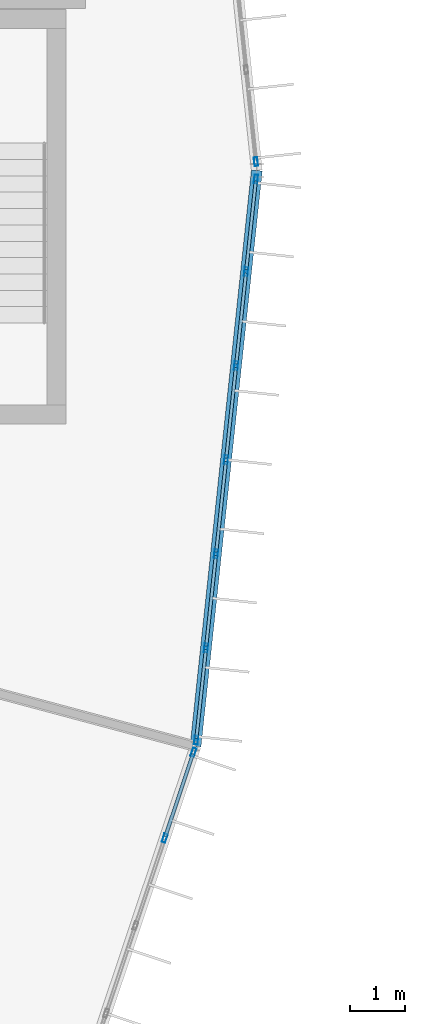
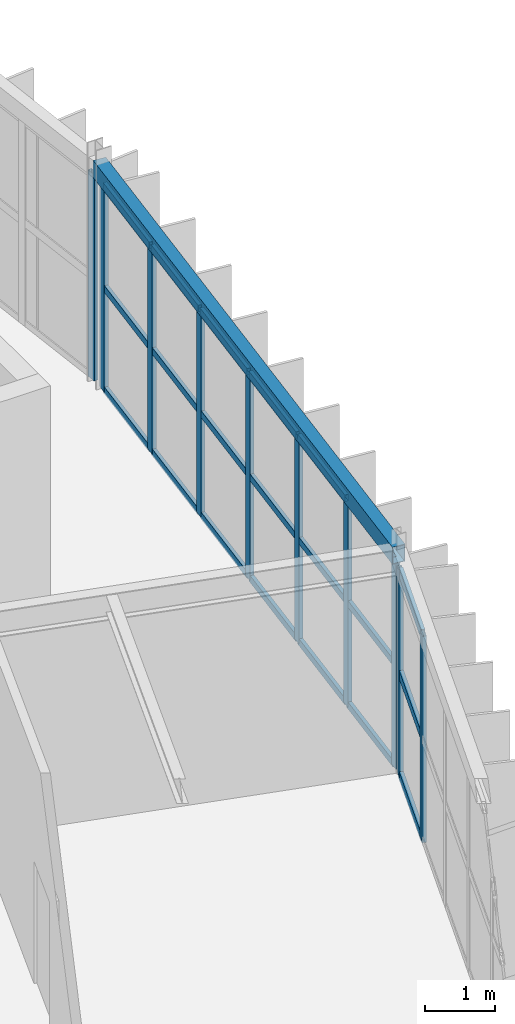
# One storey, part 60 of 130: 31 members, 1 beam, 3 elements without a shape of their own.
"""IFC4 building model written with IfcOpenShell, lengths in metres."""

from ifc_helpers import new_model, si_unit, direction, frame, origin, origin_2d, place, context, subcontext, project, spatial, hollow_rectangle, extrude, material, material_profile, profile_set, type_object, element, aggregate, save


model = new_model("IFC4")

# Units and contexts
model_context = context("Model", 3, precision=1e-05, world=origin(), true_north=direction((0.0, 1.0)))
body_context = subcontext(model_context, "Body", "Model", "MODEL_VIEW")
ifc_project = project(units=[si_unit("LENGTHUNIT", "METRE"), si_unit("AREAUNIT", "SQUARE_METRE"), si_unit("VOLUMEUNIT", "CUBIC_METRE"), si_unit("PLANEANGLEUNIT", "RADIAN"), si_unit("MASSUNIT", "GRAM", prefix="KILO")], contexts=[model_context])

# Site, building, storey
site_placement = place(None, origin())
site = spatial("IfcSite", under=ifc_project, at=site_placement, CompositionType="ELEMENT")
building_placement = place(site_placement, origin())
building = spatial("IfcBuilding", under=site, at=building_placement, Name="Karori Crest Natural Sciences Institute", CompositionType="ELEMENT")
storey_placement = place(building_placement, frame((0.0, 0.0, 17.5)))
storey = spatial("IfcBuildingStorey", under=building, at=storey_placement, Name="L04", CompositionType="ELEMENT", Elevation=17.5)

# Beam
ifc_material_1 = material(Name="Hollow structural steel AS/NZS 1163 Grade C350", Category="steel")
ifc_material_profile_1 = material_profile(ifc_material_1, hollow_rectangle(XDim=0.199951171875, YDim=0.300048828125, WallThickness=0.010009765625, at=origin_2d()), Name="RHS300x200x10")
ifc_profile_set_1 = profile_set([ifc_material_profile_1], Name="Hollow structural steel AS/NZS 1163 Grade C350")
beam_type = type_object("IfcBeamType", Name="BT-15", PredefinedType="SPANDREL", material=ifc_profile_set_1)
beam_placement = place(storey_placement, frame((98.275634765625, 39.340087890625, 3.7900390625), z_axis=(0.105868278464, 0.994380162521, 0.0), x_axis=(-0.994380162521, 0.105868278464, 0.0)))
element("IfcBeam", 1, at=beam_placement, inside=storey, type_object=beam_type, Name="Beam B-0538", PredefinedType="SPANDREL", context=body_context, shape_type="SweptSolid", body=[
    extrude(hollow_rectangle(XDim=0.199951171875, YDim=0.300048828125, WallThickness=0.010009765625, at=origin_2d()), origin(), (0.0, 0.0, 1.0), 10.619384765625),
])

# Curtain wall, member
ifc_material_2 = material(Name="Anodised architectural aluminium 6063-T6", Category="aluminium")
curtain_wall_type_1 = type_object("IfcCurtainWallType", Name="CWT-01", PredefinedType="NOTDEFINED", material=ifc_material_2)
curtain_wall_1_placement = place(storey_placement, origin())
curtain_wall_1 = element("IfcCurtainWall", 2, at=curtain_wall_1_placement, inside=storey, type_object=curtain_wall_type_1, Name="Curtain wall CW-0136", PredefinedType="NOTDEFINED")
ifc_material_profile_2 = material_profile(ifc_material_2, hollow_rectangle(XDim=0.06494140625, YDim=0.159912109375, WallThickness=0.00390625, at=origin_2d()), Name="CWM160x65x4")
ifc_profile_set_2 = profile_set([ifc_material_profile_2], Name="Anodised architectural aluminium 6063-T6")
member_type_1 = type_object("IfcMemberType", Name="CWM-01", PredefinedType="MULLION", material=ifc_profile_set_2)
member_1_placement = place(storey_placement, frame((99.383056640625, 50.060302734375, 0.0), z_axis=(0.0, 0.0, 1.0), x_axis=(0.994378435661, 0.105884496939, 0.0)))
member_1 = element("IfcMember", 3, at=member_1_placement, type_object=member_type_1, Name="CW-0136 mullion 7", PredefinedType="MULLION", context=body_context, shape_type="SweptSolid", body=[
    extrude(hollow_rectangle(XDim=0.06494140625, YDim=0.159912109375, WallThickness=0.00390625, at=origin_2d()), origin(), (0.0, 0.0, 1.0), 3.625),
])
aggregate(curtain_wall_1, [member_1])

# Curtain wall, members
curtain_wall_type_2 = type_object("IfcCurtainWallType", Name="CWT-03", PredefinedType="NOTDEFINED", material=ifc_material_2)
curtain_wall_2_placement = place(storey_placement, origin())
curtain_wall_2 = element("IfcCurtainWall", 4, at=curtain_wall_2_placement, inside=storey, type_object=curtain_wall_type_2, Name="Curtain wall CW-0169", PredefinedType="NOTDEFINED")
member_2_placement = place(storey_placement, frame((98.23876953125, 39.230224609375, 0.0), z_axis=(0.0, 0.0, 1.0), x_axis=(0.94819805026, -0.317679803392, 0.0)))
member_2 = element("IfcMember", 5, at=member_2_placement, type_object=member_type_1, Name="CW-0169 mullion 1", PredefinedType="MULLION", context=body_context, shape_type="SweptSolid", body=[
    extrude(hollow_rectangle(XDim=0.06494140625, YDim=0.159912109375, WallThickness=0.00390625, at=origin_2d()), origin(), (0.0, 0.0, 1.0), 3.625),
])
member_3_placement = place(storey_placement, frame((97.7109375, 37.655029296875, 0.0), z_axis=(0.0, 0.0, 1.0), x_axis=(0.94819805026, -0.317679803392, 0.0)))
member_3 = element("IfcMember", 6, at=member_3_placement, type_object=member_type_1, Name="CW-0169 mullion 2", PredefinedType="MULLION", context=body_context, shape_type="SweptSolid", body=[
    extrude(hollow_rectangle(XDim=0.06494140625, YDim=0.159912109375, WallThickness=0.00390625, at=origin_2d()), origin(), (0.0, 0.0, 1.0), 3.625),
])

curtain_wall_type_3 = type_object("IfcCurtainWallType", Name="CWT-04", PredefinedType="NOTDEFINED", material=ifc_material_2)
curtain_wall_3_placement = place(storey_placement, origin())
curtain_wall_3 = element("IfcCurtainWall", 7, at=curtain_wall_3_placement, inside=storey, type_object=curtain_wall_type_3, Name="Curtain wall CW-0171", PredefinedType="NOTDEFINED")
member_4_placement = place(storey_placement, frame((99.383056640625, 49.73974609375, 0.0), z_axis=(0.0, 0.0, 1.0), x_axis=(0.994378309998, -0.105885677057, 0.0)))
member_4 = element("IfcMember", 8, at=member_4_placement, type_object=member_type_1, Name="CW-0171 mullion 1", PredefinedType="MULLION", context=body_context, shape_type="SweptSolid", body=[
    extrude(hollow_rectangle(XDim=0.06494140625, YDim=0.159912109375, WallThickness=0.00390625, at=origin_2d()), origin(), (0.0, 0.0, 1.0), 3.625),
])
member_5_placement = place(storey_placement, frame((99.20263671875, 48.046630859375, 0.0), z_axis=(0.0, 0.0, 1.0), x_axis=(0.994378309998, -0.105885677057, 0.0)))
member_5 = element("IfcMember", 9, at=member_5_placement, type_object=member_type_1, Name="CW-0171 mullion 2", PredefinedType="MULLION", context=body_context, shape_type="SweptSolid", body=[
    extrude(hollow_rectangle(XDim=0.06494140625, YDim=0.159912109375, WallThickness=0.00390625, at=origin_2d()), origin(), (0.0, 0.0, 1.0), 3.625),
])
member_6_placement = place(storey_placement, frame((99.01904296875, 46.321044921875, 0.0), z_axis=(0.0, 0.0, 1.0), x_axis=(0.994378309998, -0.105885677057, 0.0)))
member_6 = element("IfcMember", 10, at=member_6_placement, type_object=member_type_1, Name="CW-0171 mullion 3", PredefinedType="MULLION", context=body_context, shape_type="SweptSolid", body=[
    extrude(hollow_rectangle(XDim=0.06494140625, YDim=0.159912109375, WallThickness=0.00390625, at=origin_2d()), origin(), (0.0, 0.0, 1.0), 3.625),
])
member_7_placement = place(storey_placement, frame((98.835205078125, 44.595703125, 0.0), z_axis=(0.0, 0.0, 1.0), x_axis=(0.994378309998, -0.105885677057, 0.0)))
member_7 = element("IfcMember", 11, at=member_7_placement, type_object=member_type_1, Name="CW-0171 mullion 4", PredefinedType="MULLION", context=body_context, shape_type="SweptSolid", body=[
    extrude(hollow_rectangle(XDim=0.06494140625, YDim=0.159912109375, WallThickness=0.00390625, at=origin_2d()), origin(), (0.0, 0.0, 1.0), 3.625),
])
member_8_placement = place(storey_placement, frame((98.6513671875, 42.8701171875, 0.0), z_axis=(0.0, 0.0, 1.0), x_axis=(0.994378309998, -0.105885677057, 0.0)))
member_8 = element("IfcMember", 12, at=member_8_placement, type_object=member_type_1, Name="CW-0171 mullion 5", PredefinedType="MULLION", context=body_context, shape_type="SweptSolid", body=[
    extrude(hollow_rectangle(XDim=0.06494140625, YDim=0.159912109375, WallThickness=0.00390625, at=origin_2d()), origin(), (0.0, 0.0, 1.0), 3.625),
])
member_9_placement = place(storey_placement, frame((98.4677734375, 41.144775390625, 0.0), z_axis=(0.0, 0.0, 1.0), x_axis=(0.994378309998, -0.105885677057, 0.0)))
member_9 = element("IfcMember", 13, at=member_9_placement, type_object=member_type_1, Name="CW-0171 mullion 6", PredefinedType="MULLION", context=body_context, shape_type="SweptSolid", body=[
    extrude(hollow_rectangle(XDim=0.06494140625, YDim=0.159912109375, WallThickness=0.00390625, at=origin_2d()), origin(), (0.0, 0.0, 1.0), 3.625),
])
member_10_placement = place(storey_placement, frame((98.287353515625, 39.45166015625, 0.0), z_axis=(0.0, 0.0, 1.0), x_axis=(0.994378309998, -0.105885677057, 0.0)))
member_10 = element("IfcMember", 14, at=member_10_placement, type_object=member_type_1, Name="CW-0171 mullion 7", PredefinedType="MULLION", context=body_context, shape_type="SweptSolid", body=[
    extrude(hollow_rectangle(XDim=0.06494140625, YDim=0.159912109375, WallThickness=0.00390625, at=origin_2d()), origin(), (0.0, 0.0, 1.0), 3.625),
])
ifc_material_profile_3 = material_profile(ifc_material_2, hollow_rectangle(XDim=0.06005859375, YDim=0.1201171875, WallThickness=0.00390625, at=origin_2d()), Name="CWT120x60x4")
ifc_profile_set_3 = profile_set([ifc_material_profile_3], Name="Anodised architectural aluminium 6063-T6")
member_type_2 = type_object("IfcMemberType", Name="CWT-TR1", PredefinedType="USERDEFINED", material=ifc_profile_set_3)
member_11_placement = place(storey_placement, frame((99.379638671875, 49.707275390625, 0.030029296875), z_axis=(-0.105996192923, -0.994366535582, 0.0), x_axis=(0.994366535582, -0.105996192923, 0.0)))
member_11 = element("IfcMember", 15, at=member_11_placement, type_object=member_type_2, Name="CW-0171 transom 1.1", ObjectType="TRANSOM", PredefinedType="USERDEFINED", context=body_context, shape_type="SweptSolid", body=[
    extrude(hollow_rectangle(XDim=0.06005859375, YDim=0.1201171875, WallThickness=0.00390625, at=origin_2d()), origin(), (0.0, 0.0, 1.0), 1.6376953125),
])
member_12_placement = place(storey_placement, frame((99.379638671875, 49.707275390625, 1.8125), z_axis=(-0.105996192923, -0.994366535582, 0.0), x_axis=(0.994366535582, -0.105996192923, 0.0)))
member_12 = element("IfcMember", 16, at=member_12_placement, type_object=member_type_2, Name="CW-0171 transom 1.2", ObjectType="TRANSOM", PredefinedType="USERDEFINED", context=body_context, shape_type="SweptSolid", body=[
    extrude(hollow_rectangle(XDim=0.06005859375, YDim=0.1201171875, WallThickness=0.00390625, at=origin_2d()), origin(), (0.0, 0.0, 1.0), 1.6376953125),
])
member_13_placement = place(storey_placement, frame((99.379638671875, 49.707275390625, 3.594970703125), z_axis=(-0.105996192923, -0.994366535582, 0.0), x_axis=(0.994366535582, -0.105996192923, 0.0)))
member_13 = element("IfcMember", 17, at=member_13_placement, type_object=member_type_2, Name="CW-0171 transom 1.3", ObjectType="TRANSOM", PredefinedType="USERDEFINED", context=body_context, shape_type="SweptSolid", body=[
    extrude(hollow_rectangle(XDim=0.06005859375, YDim=0.1201171875, WallThickness=0.00390625, at=origin_2d()), origin(), (0.0, 0.0, 1.0), 1.6376953125),
])
member_14_placement = place(storey_placement, frame((99.19921875, 48.01416015625, 0.030029296875), z_axis=(-0.105841415473, -0.994383022165, 0.0), x_axis=(0.994383022165, -0.105841415473, 0.0)))
member_14 = element("IfcMember", 18, at=member_14_placement, type_object=member_type_2, Name="CW-0171 transom 2.1", ObjectType="TRANSOM", PredefinedType="USERDEFINED", context=body_context, shape_type="SweptSolid", body=[
    extrude(hollow_rectangle(XDim=0.06005859375, YDim=0.1201171875, WallThickness=0.00390625, at=origin_2d()), origin(), (0.0, 0.0, 1.0), 1.669921875),
])
member_15_placement = place(storey_placement, frame((99.19921875, 48.01416015625, 1.8125), z_axis=(-0.105841415473, -0.994383022165, 0.0), x_axis=(0.994383022165, -0.105841415473, 0.0)))
member_15 = element("IfcMember", 19, at=member_15_placement, type_object=member_type_2, Name="CW-0171 transom 2.2", ObjectType="TRANSOM", PredefinedType="USERDEFINED", context=body_context, shape_type="SweptSolid", body=[
    extrude(hollow_rectangle(XDim=0.06005859375, YDim=0.1201171875, WallThickness=0.00390625, at=origin_2d()), origin(), (0.0, 0.0, 1.0), 1.669921875),
])
member_16_placement = place(storey_placement, frame((99.19921875, 48.01416015625, 3.594970703125), z_axis=(-0.105841415473, -0.994383022165, 0.0), x_axis=(0.994383022165, -0.105841415473, 0.0)))
member_16 = element("IfcMember", 20, at=member_16_placement, type_object=member_type_2, Name="CW-0171 transom 2.3", ObjectType="TRANSOM", PredefinedType="USERDEFINED", context=body_context, shape_type="SweptSolid", body=[
    extrude(hollow_rectangle(XDim=0.06005859375, YDim=0.1201171875, WallThickness=0.00390625, at=origin_2d()), origin(), (0.0, 0.0, 1.0), 1.669921875),
])
member_17_placement = place(storey_placement, frame((99.015380859375, 46.288818359375, 0.030029296875), z_axis=(-0.105826031672, -0.994384659486, 0.0), x_axis=(0.994384659486, -0.105826031672, 0.0)))
member_17 = element("IfcMember", 21, at=member_17_placement, type_object=member_type_2, Name="CW-0171 transom 3.1", ObjectType="TRANSOM", PredefinedType="USERDEFINED", context=body_context, shape_type="SweptSolid", body=[
    extrude(hollow_rectangle(XDim=0.06005859375, YDim=0.1201171875, WallThickness=0.00390625, at=origin_2d()), origin(), (0.0, 0.0, 1.0), 1.670166015625),
])
member_18_placement = place(storey_placement, frame((99.015380859375, 46.288818359375, 1.8125), z_axis=(-0.105826031672, -0.994384659486, 0.0), x_axis=(0.994384659486, -0.105826031672, 0.0)))
member_18 = element("IfcMember", 22, at=member_18_placement, type_object=member_type_2, Name="CW-0171 transom 3.2", ObjectType="TRANSOM", PredefinedType="USERDEFINED", context=body_context, shape_type="SweptSolid", body=[
    extrude(hollow_rectangle(XDim=0.06005859375, YDim=0.1201171875, WallThickness=0.00390625, at=origin_2d()), origin(), (0.0, 0.0, 1.0), 1.670166015625),
])
member_19_placement = place(storey_placement, frame((99.015380859375, 46.288818359375, 3.594970703125), z_axis=(-0.105826031672, -0.994384659486, 0.0), x_axis=(0.994384659486, -0.105826031672, 0.0)))
member_19 = element("IfcMember", 23, at=member_19_placement, type_object=member_type_2, Name="CW-0171 transom 3.3", ObjectType="TRANSOM", PredefinedType="USERDEFINED", context=body_context, shape_type="SweptSolid", body=[
    extrude(hollow_rectangle(XDim=0.06005859375, YDim=0.1201171875, WallThickness=0.00390625, at=origin_2d()), origin(), (0.0, 0.0, 1.0), 1.670166015625),
])
member_20_placement = place(storey_placement, frame((98.831787109375, 44.563232421875, 0.030029296875), z_axis=(-0.105841415473, -0.994383022165, 0.0), x_axis=(0.994383022165, -0.105841415473, 0.0)))
member_20 = element("IfcMember", 24, at=member_20_placement, type_object=member_type_2, Name="CW-0171 transom 4.1", ObjectType="TRANSOM", PredefinedType="USERDEFINED", context=body_context, shape_type="SweptSolid", body=[
    extrude(hollow_rectangle(XDim=0.06005859375, YDim=0.1201171875, WallThickness=0.00390625, at=origin_2d()), origin(), (0.0, 0.0, 1.0), 1.669921875),
])
member_21_placement = place(storey_placement, frame((98.831787109375, 44.563232421875, 1.8125), z_axis=(-0.105841415473, -0.994383022165, 0.0), x_axis=(0.994383022165, -0.105841415473, 0.0)))
member_21 = element("IfcMember", 25, at=member_21_placement, type_object=member_type_2, Name="CW-0171 transom 4.2", ObjectType="TRANSOM", PredefinedType="USERDEFINED", context=body_context, shape_type="SweptSolid", body=[
    extrude(hollow_rectangle(XDim=0.06005859375, YDim=0.1201171875, WallThickness=0.00390625, at=origin_2d()), origin(), (0.0, 0.0, 1.0), 1.669921875),
])
member_22_placement = place(storey_placement, frame((98.831787109375, 44.563232421875, 3.594970703125), z_axis=(-0.105841415473, -0.994383022165, 0.0), x_axis=(0.994383022165, -0.105841415473, 0.0)))
member_22 = element("IfcMember", 26, at=member_22_placement, type_object=member_type_2, Name="CW-0171 transom 4.3", ObjectType="TRANSOM", PredefinedType="USERDEFINED", context=body_context, shape_type="SweptSolid", body=[
    extrude(hollow_rectangle(XDim=0.06005859375, YDim=0.1201171875, WallThickness=0.00390625, at=origin_2d()), origin(), (0.0, 0.0, 1.0), 1.669921875),
])
member_23_placement = place(storey_placement, frame((98.64794921875, 42.837890625, 0.030029296875), z_axis=(-0.105826031672, -0.994384659486, 0.0), x_axis=(0.994384659486, -0.105826031672, 0.0)))
member_23 = element("IfcMember", 27, at=member_23_placement, type_object=member_type_2, Name="CW-0171 transom 5.1", ObjectType="TRANSOM", PredefinedType="USERDEFINED", context=body_context, shape_type="SweptSolid", body=[
    extrude(hollow_rectangle(XDim=0.06005859375, YDim=0.1201171875, WallThickness=0.00390625, at=origin_2d()), origin(), (0.0, 0.0, 1.0), 1.670166015625),
])
member_24_placement = place(storey_placement, frame((98.64794921875, 42.837890625, 1.8125), z_axis=(-0.105826031672, -0.994384659486, 0.0), x_axis=(0.994384659486, -0.105826031672, 0.0)))
member_24 = element("IfcMember", 28, at=member_24_placement, type_object=member_type_2, Name="CW-0171 transom 5.2", ObjectType="TRANSOM", PredefinedType="USERDEFINED", context=body_context, shape_type="SweptSolid", body=[
    extrude(hollow_rectangle(XDim=0.06005859375, YDim=0.1201171875, WallThickness=0.00390625, at=origin_2d()), origin(), (0.0, 0.0, 1.0), 1.670166015625),
])
member_25_placement = place(storey_placement, frame((98.64794921875, 42.837890625, 3.594970703125), z_axis=(-0.105826031672, -0.994384659486, 0.0), x_axis=(0.994384659486, -0.105826031672, 0.0)))
member_25 = element("IfcMember", 29, at=member_25_placement, type_object=member_type_2, Name="CW-0171 transom 5.3", ObjectType="TRANSOM", PredefinedType="USERDEFINED", context=body_context, shape_type="SweptSolid", body=[
    extrude(hollow_rectangle(XDim=0.06005859375, YDim=0.1201171875, WallThickness=0.00390625, at=origin_2d()), origin(), (0.0, 0.0, 1.0), 1.670166015625),
])
member_26_placement = place(storey_placement, frame((98.46435546875, 41.112548828125, 0.030029296875), z_axis=(-0.1059804823, -0.994368210157, 0.0), x_axis=(0.994368210157, -0.1059804823, 0.0)))
member_26 = element("IfcMember", 30, at=member_26_placement, type_object=member_type_2, Name="CW-0171 transom 6.1", ObjectType="TRANSOM", PredefinedType="USERDEFINED", context=body_context, shape_type="SweptSolid", body=[
    extrude(hollow_rectangle(XDim=0.06005859375, YDim=0.1201171875, WallThickness=0.00390625, at=origin_2d()), origin(), (0.0, 0.0, 1.0), 1.637939453125),
])
member_27_placement = place(storey_placement, frame((98.46435546875, 41.112548828125, 1.8125), z_axis=(-0.1059804823, -0.994368210157, 0.0), x_axis=(0.994368210157, -0.1059804823, 0.0)))
member_27 = element("IfcMember", 31, at=member_27_placement, type_object=member_type_2, Name="CW-0171 transom 6.2", ObjectType="TRANSOM", PredefinedType="USERDEFINED", context=body_context, shape_type="SweptSolid", body=[
    extrude(hollow_rectangle(XDim=0.06005859375, YDim=0.1201171875, WallThickness=0.00390625, at=origin_2d()), origin(), (0.0, 0.0, 1.0), 1.637939453125),
])
member_28_placement = place(storey_placement, frame((98.46435546875, 41.112548828125, 3.594970703125), z_axis=(-0.1059804823, -0.994368210157, 0.0), x_axis=(0.994368210157, -0.1059804823, 0.0)))
member_28 = element("IfcMember", 32, at=member_28_placement, type_object=member_type_2, Name="CW-0171 transom 6.3", ObjectType="TRANSOM", PredefinedType="USERDEFINED", context=body_context, shape_type="SweptSolid", body=[
    extrude(hollow_rectangle(XDim=0.06005859375, YDim=0.1201171875, WallThickness=0.00390625, at=origin_2d()), origin(), (0.0, 0.0, 1.0), 1.637939453125),
])
aggregate(curtain_wall_3, [member_4, member_5, member_6, member_7, member_8, member_9, member_10, member_11, member_12, member_13, member_14, member_15, member_16, member_17, member_18, member_19, member_20, member_21, member_22, member_23, member_24, member_25, member_26, member_27, member_28])

# Member
ifc_material_profile_4 = material_profile(ifc_material_2, hollow_rectangle(XDim=0.06494140625, YDim=0.14990234375, WallThickness=0.00390625, at=origin_2d()), Name="CWT150x65x4")
ifc_profile_set_4 = profile_set([ifc_material_profile_4], Name="Anodised architectural aluminium 6063-T6")
member_type_3 = type_object("IfcMemberType", Name="CWT-TR2", PredefinedType="USERDEFINED", material=ifc_profile_set_4)
member_29_placement = place(storey_placement, frame((98.228515625, 39.199462890625, 0.032470703125), z_axis=(-0.317695793379, -0.9481926929, 0.0), x_axis=(0.9481926929, -0.317695793379, 0.0)))
member_29 = element("IfcMember", 33, at=member_29_placement, type_object=member_type_3, Name="CW-0169 transom 1.1", ObjectType="TRANSOM", PredefinedType="USERDEFINED", context=body_context, shape_type="SweptSolid", body=[
    extrude(hollow_rectangle(XDim=0.06494140625, YDim=0.14990234375, WallThickness=0.00390625, at=origin_2d()), origin(), (0.0, 0.0, 1.0), 1.59619140625),
])

member_30_placement = place(storey_placement, frame((98.228515625, 39.199462890625, 1.8125), z_axis=(-0.317695793379, -0.9481926929, 0.0), x_axis=(0.9481926929, -0.317695793379, 0.0)))
member_30 = element("IfcMember", 34, at=member_30_placement, type_object=member_type_3, Name="CW-0169 transom 1.2", ObjectType="TRANSOM", PredefinedType="USERDEFINED", context=body_context, shape_type="SweptSolid", body=[
    extrude(hollow_rectangle(XDim=0.06494140625, YDim=0.14990234375, WallThickness=0.00390625, at=origin_2d()), origin(), (0.0, 0.0, 1.0), 1.59619140625),
])

member_31_placement = place(storey_placement, frame((98.228515625, 39.199462890625, 3.592529296875), z_axis=(-0.317695793379, -0.9481926929, 0.0), x_axis=(0.9481926929, -0.317695793379, 0.0)))
member_31 = element("IfcMember", 35, at=member_31_placement, type_object=member_type_3, Name="CW-0169 transom 1.3", ObjectType="TRANSOM", PredefinedType="USERDEFINED", context=body_context, shape_type="SweptSolid", body=[
    extrude(hollow_rectangle(XDim=0.06494140625, YDim=0.14990234375, WallThickness=0.00390625, at=origin_2d()), origin(), (0.0, 0.0, 1.0), 1.59619140625),
])

aggregate(curtain_wall_2, [member_2, member_3, member_29, member_30, member_31])

save(model, "model.ifc")
